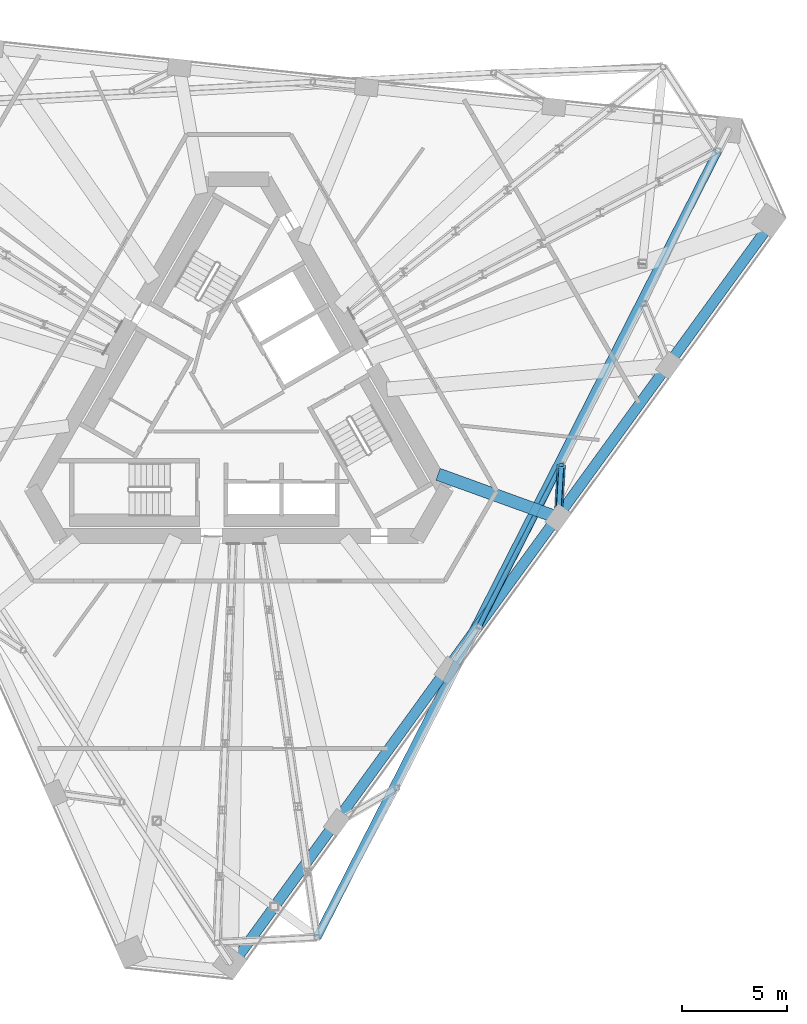
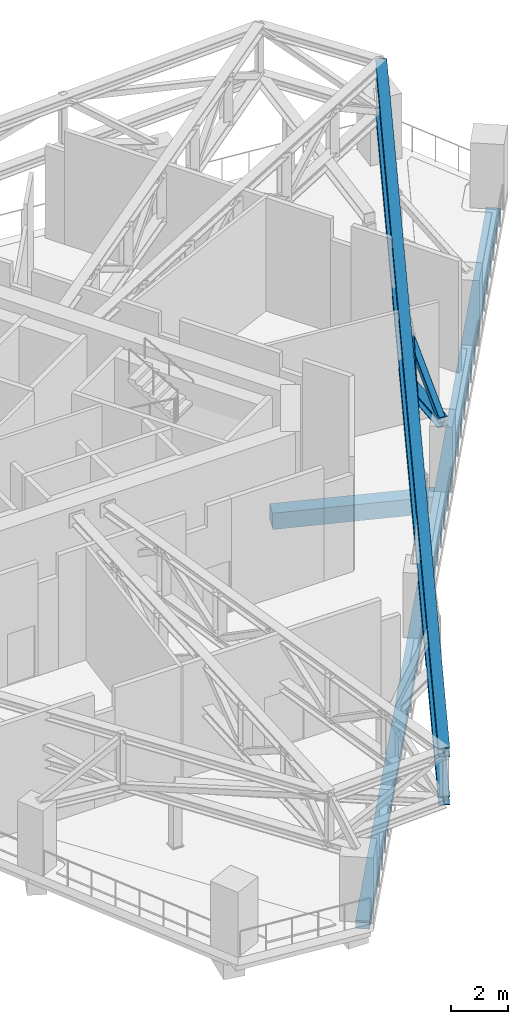
# One storey, part 6 of 20: 5 members, 2 beams.
"""IFC4 building model written with IfcOpenShell, lengths in metres."""

from ifc_helpers import new_model, si_unit, direction, frame, origin, origin_2d, place, context, subcontext, project, spatial, rectangle, hollow_rectangle, i_section, extrude, material, material_profile, profile_set, type_object, element, save


model = new_model("IFC4")

# Units and contexts
model_context = context("Model", 3, precision=1e-05, world=origin(), true_north=direction((0.0, 1.0)))
body_context = subcontext(model_context, "Body", "Model", "MODEL_VIEW")
ifc_project = project(units=[si_unit("LENGTHUNIT", "METRE"), si_unit("AREAUNIT", "SQUARE_METRE"), si_unit("VOLUMEUNIT", "CUBIC_METRE"), si_unit("PLANEANGLEUNIT", "RADIAN"), si_unit("MASSUNIT", "GRAM", prefix="KILO")], contexts=[model_context])

# Site, building, storey
site_placement = place(None, origin())
site = spatial("IfcSite", under=ifc_project, at=site_placement, CompositionType="ELEMENT")
building_placement = place(site_placement, origin())
building = spatial("IfcBuilding", under=site, at=building_placement, Name="Tramontana Tower", CompositionType="ELEMENT")
storey_placement = place(building_placement, frame((0.0, 0.0, 269.199951171875)))
storey = spatial("IfcBuildingStorey", under=building, at=storey_placement, Name="L63", CompositionType="ELEMENT", Elevation=269.199951171875)

# Members
ifc_material_1 = material(Name="Steel ASTM A500 Grade C", Category="steel")
ifc_material_profile_1 = material_profile(ifc_material_1, hollow_rectangle(XDim=0.25390625, YDim=0.25390625, WallThickness=0.01171875, InnerFilletRadius=0.01171875, OuterFilletRadius=0.023681640625, at=origin_2d()), Name="HSS10X10X1/2")
ifc_profile_set_1 = profile_set([ifc_material_profile_1], Name="Steel ASTM A500 Grade C")
member_type_1 = type_object("IfcMemberType", Name="Belt truss HSS10X10X1/2 brace", PredefinedType="BRACE", material=ifc_profile_set_1)
member_1_placement = place(storey_placement, frame((11.48828125, -10.71337890625, 2.59375), z_axis=(0.441637174518, 0.866765060719, 0.23167851778), x_axis=(-0.891007223871, 0.453989126533, 0.0)))
element("IfcMember", 1, at=member_1_placement, inside=storey, type_object=member_type_1, Name="Belt truss diagonal S1.3", PredefinedType="BRACE", context=body_context, shape_type="SweptSolid", body=[
    extrude(hollow_rectangle(XDim=0.25390625, YDim=0.25390625, WallThickness=0.01171875, InnerFilletRadius=0.01171875, OuterFilletRadius=0.023681640625, at=origin_2d()), origin(), (0.0, 0.0, 1.0), 8.90234375),
])
ifc_material_2 = material(Name="Steel ASTM A992 Grade 50", Category="steel")
ifc_material_profile_2 = material_profile(ifc_material_2, i_section(OverallWidth=0.39697265625, OverallDepth=0.387451171875, WebThickness=0.020751953125, FlangeThickness=0.033447265625, FilletRadius=0.01513671875, at=origin_2d()), Name="W14X176")
ifc_profile_set_2 = profile_set([ifc_material_profile_2], Name="Steel ASTM A992 Grade 50")
member_type_2 = type_object("IfcMemberType", Name="Belt truss W14X176 chord", PredefinedType="CHORD", material=ifc_profile_set_2)
for number, where, z_axis, x_axis, name in (
    (2, (3.7412109375, -25.587890625, 2.59375), (0.453985577948, 0.891009031949, 0.0), (-0.891009031949, 0.453985577948, 0.0), "Belt truss bottom chord S1"),
    (3, (3.7412109375, -25.587890625, 4.65625), (0.453985577948, 0.891009031949, 0.0), (-0.891009031949, 0.453985577948, 0.0), "Belt truss top chord S1"),
):
    element("IfcMember", number, at=place(storey_placement, frame(where, z_axis=z_axis, x_axis=x_axis)), inside=storey, type_object=member_type_2, Name=name, PredefinedType="CHORD", context=body_context, shape_type="SweptSolid", body=[
        extrude(i_section(OverallWidth=0.39697265625, OverallDepth=0.387451171875, WebThickness=0.020751953125, FlangeThickness=0.033447265625, FilletRadius=0.01513671875, at=origin_2d()), origin(), (0.0, 0.0, 1.0), 42.201171875),
    ])

# Beams
ifc_material_3 = material(Name="Concrete 40 MPa", Category="concrete")
ifc_material_profile_3 = material_profile(ifc_material_3, rectangle(XDim=0.5, YDim=0.35009765625, at=origin_2d()), Name="RC EDGE BEAM 500X350 40 MPa")
ifc_profile_set_3 = profile_set([ifc_material_profile_3], Name="Concrete 40 MPa")
beam_type_1 = type_object("IfcBeamType", Name="RC EDGE BEAM 500X350 40 MPa", PredefinedType="SPANDREL", material=ifc_profile_set_3)
beam_1_placement = place(storey_placement, frame((-0.302001953125, -26.87109375, -0.52490234375), z_axis=(0.587782498957, 0.809018994783, 0.0), x_axis=(-0.809018994783, 0.587782498957, 0.0)))
element("IfcBeam", 4, at=beam_1_placement, inside=storey, type_object=beam_type_1, Name="Spandrel beam S1 L63", PredefinedType="SPANDREL", context=body_context, shape_type="SweptSolid", body=[
    extrude(rectangle(XDim=0.5, YDim=0.35009765625, at=origin_2d()), origin(), (0.0, 0.0, 1.0), 43.833251953125),
])
ifc_material_4 = material(Name="Concrete 40 MPa", Category="concrete")
ifc_material_profile_4 = material_profile(ifc_material_4, rectangle(XDim=0.60009765625, YDim=0.699951171875, at=origin_2d()), Name="RC GIRDER 600X700 40 MPa")
ifc_profile_set_4 = profile_set([ifc_material_profile_4], Name="Concrete 40 MPa")
beam_type_2 = type_object("IfcBeamType", Name="RC GIRDER 600X700 40 MPa", PredefinedType="BEAM", material=ifc_profile_set_4)
beam_2_placement = place(storey_placement, frame((15.267578125, -5.526123046875, -0.699951171875), z_axis=(-0.940300037895, 0.34034664496, 0.0), x_axis=(-0.34034664496, -0.940300037895, 0.0)))
element("IfcBeam", 5, at=beam_2_placement, inside=storey, type_object=beam_type_2, Name="Radial girder C6F07 L63", PredefinedType="BEAM", context=body_context, shape_type="SweptSolid", body=[
    extrude(rectangle(XDim=0.60009765625, YDim=0.699951171875, at=origin_2d()), origin(), (0.0, 0.0, 1.0), 6.108154296875),
])

# Members
ifc_material_5 = material(Name="Steel ASTM A500 Grade C", Category="steel")
ifc_material_profile_5 = material_profile(ifc_material_5, hollow_rectangle(XDim=0.25390625, YDim=0.25390625, WallThickness=0.01171875, InnerFilletRadius=0.01171875, OuterFilletRadius=0.023681640625, at=origin_2d()), Name="HSS10X10X1/2")
ifc_profile_set_5 = profile_set([ifc_material_profile_5], Name="Steel ASTM A500 Grade C")
member_type_3 = type_object("IfcMemberType", Name="Transfer truss HSS10X10X1/2 brace", PredefinedType="BRACE", material=ifc_profile_set_5)
member_2_placement = place(storey_placement, frame((15.267578125, -5.526123046875, 2.59375), z_axis=(0.04663122861, 0.774123232641, 0.631315095023), x_axis=(-0.998190645841, 0.060128483734, 0.0)))
element("IfcMember", 6, at=member_2_placement, inside=storey, type_object=member_type_3, Name="Transfer truss strut C7F07 diagonal", PredefinedType="BRACE", context=body_context, shape_type="SweptSolid", body=[
    extrude(hollow_rectangle(XDim=0.25390625, YDim=0.25390625, WallThickness=0.01171875, InnerFilletRadius=0.01171875, OuterFilletRadius=0.023681640625, at=origin_2d()), origin(), (0.0, 0.0, 1.0), 3.26708984375),
])
ifc_material_6 = material(Name="Steel ASTM A992 Grade 50", Category="steel")
ifc_material_profile_6 = material_profile(ifc_material_6, i_section(OverallWidth=0.39697265625, OverallDepth=0.387451171875, WebThickness=0.020751953125, FlangeThickness=0.033447265625, FilletRadius=0.01513671875, at=origin_2d()), Name="W14X176")
ifc_profile_set_6 = profile_set([ifc_material_profile_6], Name="Steel ASTM A992 Grade 50")
member_type_4 = type_object("IfcMemberType", Name="Transfer truss W14X176 strut", PredefinedType="STRUT", material=ifc_profile_set_6)
member_3_placement = place(storey_placement, frame((15.267578125, -5.526123046875, 2.59375), z_axis=(0.060128483734, 0.998190645841, 0.0), x_axis=(-0.998190645841, 0.060128483734, 0.0)))
element("IfcMember", 7, at=member_3_placement, inside=storey, type_object=member_type_4, Name="Transfer truss strut C7F07 bottom", PredefinedType="STRUT", context=body_context, shape_type="SweptSolid", body=[
    extrude(i_section(OverallWidth=0.39697265625, OverallDepth=0.387451171875, WebThickness=0.020751953125, FlangeThickness=0.033447265625, FilletRadius=0.01513671875, at=origin_2d()), origin(), (0.0, 0.0, 1.0), 2.53369140625),
])

save(model, "model.ifc")
